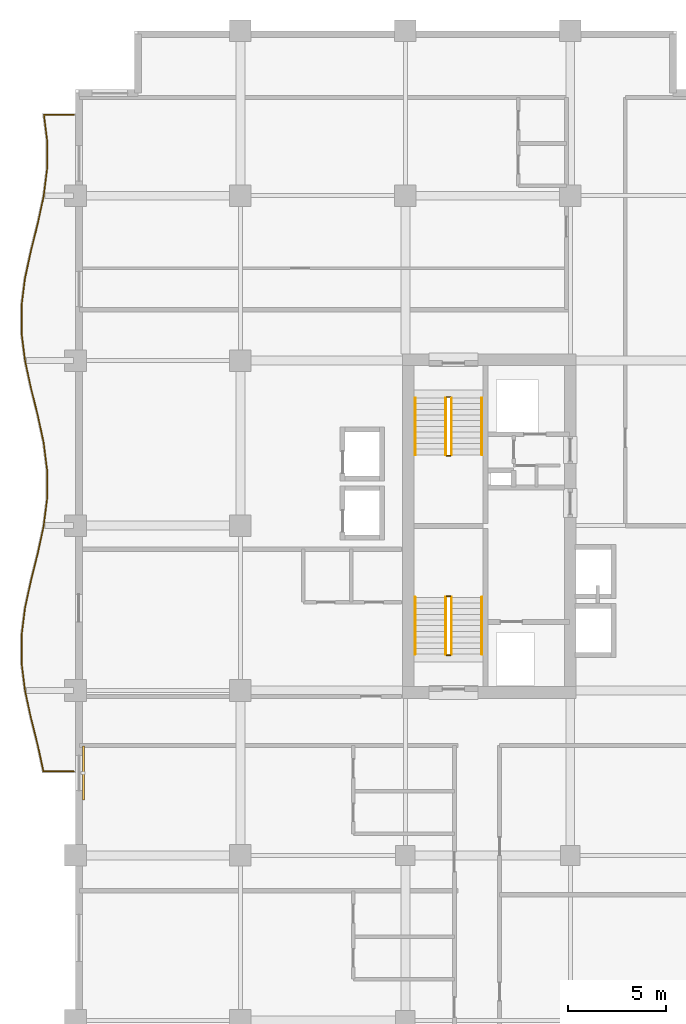
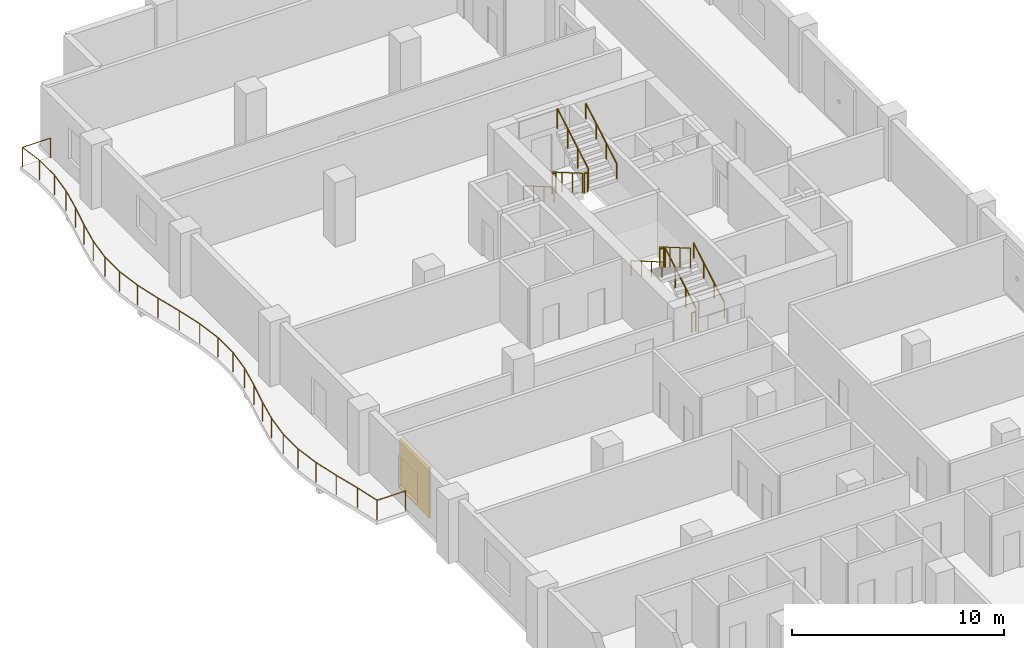
# One storey, part 14 of 15: 13 railings, 1 shading device.
"""IFC4 building model written with IfcOpenShell, lengths in metres."""

from ifc_helpers import new_model, si_unit, direction, frame, origin, origin_2d, place, context, subcontext, project, spatial, rectangle, circle, extrude, material, layer, layer_set, type_object, element, save


model = new_model("IFC4")

# Units and contexts
model_context = context("Model", 3, precision=1e-05, world=origin(), true_north=direction((0.0, 1.0)))
body_context = subcontext(model_context, "Body", "Model", "MODEL_VIEW")
ifc_project = project(units=[si_unit("LENGTHUNIT", "METRE"), si_unit("AREAUNIT", "SQUARE_METRE"), si_unit("VOLUMEUNIT", "CUBIC_METRE"), si_unit("PLANEANGLEUNIT", "RADIAN"), si_unit("MASSUNIT", "GRAM", prefix="KILO")], contexts=[model_context])

# Site, building, storey
site_placement = place(None, origin())
site = spatial("IfcSite", under=ifc_project, at=site_placement, CompositionType="ELEMENT")
building_placement = place(site_placement, origin())
building = spatial("IfcBuilding", under=site, at=building_placement, Name="Koriwani Terraces Tower", CompositionType="ELEMENT")
storey_placement = place(building_placement, frame((0.0, 0.0, 193.89990234375)))
storey = spatial("IfcBuildingStorey", under=building, at=storey_placement, Name="L47", CompositionType="ELEMENT", Elevation=193.89990234375)

# Railings
ifc_material_1 = material(Name="Steel ASTM A572 Grade 50", Category="steel")
railing_type_1 = type_object("IfcRailingType", Name="GUARD_BALUSTRADE_1150", PredefinedType="BALUSTRADE", material=ifc_material_1)
railing_1_placement = place(storey_placement, frame((-0.080078125, 37.8798828125, 0.0)))
element("IfcRailing", 1, at=railing_1_placement, inside=storey, type_object=railing_type_1, Name="L47 Balcony Perimeter Safety Balustrade (W)", PredefinedType="BALUSTRADE", context=body_context, shape_type="SweptSolid", body=[
    extrude(circle(Radius=0.02392578125, at=origin_2d()), frame((0.0, 0.0, 1.1259765625), z_axis=(-1.0, 0.0, 0.0), x_axis=(0.0, -1.0, 0.0)), (0.0, 0.0, 1.0), 1.552978515625),
    extrude(circle(Radius=0.02392578125, at=origin_2d()), frame((-1.552978515625, 0.0, 1.1259765625), z_axis=(-0.211318979222, 0.977417151998, 0.0), x_axis=(-0.977417151998, -0.211318979222, 0.0)), (0.0, 0.0, 1.0), 1.369140625),
    extrude(circle(Radius=0.02392578125, at=origin_2d()), frame((-1.84228515625, 1.338134765625, 1.1259765625), z_axis=(-0.242097720621, 0.970251871253, 0.0), x_axis=(-0.970251871253, -0.242097720621, 0.0)), (0.0, 0.0, 1.0), 1.443115234375),
    extrude(circle(Radius=0.02392578125, at=origin_2d()), frame((-2.191650390625, 2.73828125, 1.1259765625), z_axis=(-0.211385782237, 0.977402706702, 0.0), x_axis=(-0.977402706702, -0.211385782237, 0.0)), (0.0, 0.0, 1.0), 1.427490234375),
    extrude(circle(Radius=0.02392578125, at=origin_2d()), frame((-2.493408203125, 4.133544921875, 1.1259765625), z_axis=(-0.123777613669, 0.992309982997, 0.0), x_axis=(-0.992309982997, -0.123777613669, 0.0)), (0.0, 0.0, 1.0), 1.40234375),
    extrude(circle(Radius=0.02392578125, at=origin_2d()), frame((-2.6669921875, 5.525146484375, 1.1259765625), z_axis=(0.0, 1.0, 0.0), x_axis=(-1.0, 0.0, 0.0)), (0.0, 0.0, 1.0), 1.389892578125),
    extrude(circle(Radius=0.02392578125, at=origin_2d()), frame((-2.6669921875, 6.9150390625, 1.1259765625), z_axis=(0.123777613669, 0.992309982997, 0.0), x_axis=(-0.992309982997, 0.123777613669, 0.0)), (0.0, 0.0, 1.0), 1.40234375),
    extrude(circle(Radius=0.02392578125, at=origin_2d()), frame((-2.493408203125, 8.306640625, 1.1259765625), z_axis=(0.211385782237, 0.977402706702, 0.0), x_axis=(-0.977402706702, 0.211385782237, 0.0)), (0.0, 0.0, 1.0), 1.427490234375),
    extrude(circle(Radius=0.02392578125, at=origin_2d()), frame((-2.191650390625, 9.701904296875, 1.1259765625), z_axis=(0.242097720621, 0.970251871253, 0.0), x_axis=(-0.970251871253, 0.242097720621, 0.0)), (0.0, 0.0, 1.0), 1.443115234375),
    extrude(circle(Radius=0.02392578125, at=origin_2d()), frame((-1.84228515625, 11.10205078125, 1.1259765625), z_axis=(0.21115295759, 0.977453031353, 0.0), x_axis=(-0.977453031353, 0.21115295759, 0.0)), (0.0, 0.0, 1.0), 1.437255859375),
    extrude(circle(Radius=0.02392578125, at=origin_2d()), frame((-1.538818359375, 12.5068359375, 1.1259765625), z_axis=(0.123695943136, 0.992320166908, 0.0), x_axis=(-0.992320166908, 0.123695943136, 0.0)), (0.0, 0.0, 1.0), 1.419189453125),
    extrude(circle(Radius=0.02392578125, at=origin_2d()), frame((-1.36328125, 13.9150390625, 1.1259765625), z_axis=(0.0, 1.0, 0.0), x_axis=(-1.0, 0.0, 0.0)), (0.0, 0.0, 1.0), 1.41015625),
    extrude(circle(Radius=0.02392578125, at=origin_2d()), frame((-1.36328125, 15.3251953125, 1.1259765625), z_axis=(-0.123695943136, 0.992320166908, 0.0), x_axis=(-0.992320166908, -0.123695943136, 0.0)), (0.0, 0.0, 1.0), 1.419189453125),
    extrude(circle(Radius=0.02392578125, at=origin_2d()), frame((-1.538818359375, 16.7333984375, 1.1259765625), z_axis=(-0.21115295759, 0.977453031353, 0.0), x_axis=(-0.977453031353, -0.21115295759, 0.0)), (0.0, 0.0, 1.0), 1.437255859375),
    extrude(circle(Radius=0.02392578125, at=origin_2d()), frame((-1.84228515625, 18.13818359375, 1.1259765625), z_axis=(-0.242097720621, 0.970251871253, 0.0), x_axis=(-0.970251871253, -0.242097720621, 0.0)), (0.0, 0.0, 1.0), 1.443115234375),
    extrude(circle(Radius=0.02392578125, at=origin_2d()), frame((-2.191650390625, 19.538330078125, 1.1259765625), z_axis=(-0.211385782237, 0.977402706702, 0.0), x_axis=(-0.977402706702, -0.211385782237, 0.0)), (0.0, 0.0, 1.0), 1.427490234375),
    extrude(circle(Radius=0.02392578125, at=origin_2d()), frame((-2.493408203125, 20.93359375, 1.1259765625), z_axis=(-0.123777613669, 0.992309982997, 0.0), x_axis=(-0.992309982997, -0.123777613669, 0.0)), (0.0, 0.0, 1.0), 1.40234375),
    extrude(circle(Radius=0.02392578125, at=origin_2d()), frame((-2.6669921875, 22.3251953125, 1.1259765625), z_axis=(0.0, 1.0, 0.0), x_axis=(-1.0, 0.0, 0.0)), (0.0, 0.0, 1.0), 1.389892578125),
    extrude(circle(Radius=0.02392578125, at=origin_2d()), frame((-2.6669921875, 23.715087890625, 1.1259765625), z_axis=(0.123777613669, 0.992309982997, 0.0), x_axis=(-0.992309982997, 0.123777613669, 0.0)), (0.0, 0.0, 1.0), 1.40234375),
    extrude(circle(Radius=0.02392578125, at=origin_2d()), frame((-2.493408203125, 25.106689453125, 1.1259765625), z_axis=(0.211385782237, 0.977402706702, 0.0), x_axis=(-0.977402706702, 0.211385782237, 0.0)), (0.0, 0.0, 1.0), 1.427490234375),
    extrude(circle(Radius=0.02392578125, at=origin_2d()), frame((-2.191650390625, 26.501953125, 1.1259765625), z_axis=(0.242097720621, 0.970251871253, 0.0), x_axis=(-0.970251871253, 0.242097720621, 0.0)), (0.0, 0.0, 1.0), 1.443115234375),
    extrude(circle(Radius=0.02392578125, at=origin_2d()), frame((-1.84228515625, 27.902099609375, 1.1259765625), z_axis=(0.211188023857, 0.977445455552, 0.0), x_axis=(-0.977445455552, 0.211188023857, 0.0)), (0.0, 0.0, 1.0), 1.43701171875),
    extrude(circle(Radius=0.02392578125, at=origin_2d()), frame((-1.538818359375, 29.306640625, 1.1259765625), z_axis=(0.123674829633, 0.992322798546, 0.0), x_axis=(-0.992322798546, 0.123674829633, 0.0)), (0.0, 0.0, 1.0), 1.41943359375),
    extrude(circle(Radius=0.02392578125, at=origin_2d()), frame((-1.36328125, 30.715087890625, 1.1259765625), z_axis=(0.0, 1.0, 0.0), x_axis=(-1.0, 0.0, 0.0)), (0.0, 0.0, 1.0), 1.409912109375),
    extrude(circle(Radius=0.02392578125, at=origin_2d()), frame((-1.36328125, 32.125, 1.1259765625), z_axis=(-0.123603958219, 0.992331628798, 0.0), x_axis=(-0.992331628798, -0.123603958219, 0.0)), (0.0, 0.0, 1.0), 1.325439453125),
    extrude(circle(Radius=0.02392578125, at=origin_2d()), frame((-1.527099609375, 33.440185546875, 1.1259765625), z_axis=(1.0, 0.0, 0.0), x_axis=(0.0, 1.0, 0.0)), (0.0, 0.0, 1.0), 1.527099609375),
    extrude(circle(Radius=0.02099609375, at=origin_2d()), origin(), (0.0, 0.0, 1.0), 1.101806640625),
    extrude(circle(Radius=0.02099609375, at=origin_2d()), frame((-1.552978515625, 0.0, 0.0)), (0.0, 0.0, 1.0), 1.101806640625),
    extrude(circle(Radius=0.02099609375, at=origin_2d()), frame((-1.84228515625, 1.338134765625, 0.0)), (0.0, 0.0, 1.0), 1.101806640625),
    extrude(circle(Radius=0.02099609375, at=origin_2d()), frame((-2.191650390625, 2.73828125, 0.0)), (0.0, 0.0, 1.0), 1.101806640625),
    extrude(circle(Radius=0.02099609375, at=origin_2d()), frame((-2.493408203125, 4.133544921875, 0.0)), (0.0, 0.0, 1.0), 1.101806640625),
    extrude(circle(Radius=0.02099609375, at=origin_2d()), frame((-2.6669921875, 5.525146484375, 0.0)), (0.0, 0.0, 1.0), 1.101806640625),
    extrude(circle(Radius=0.02099609375, at=origin_2d()), frame((-2.6669921875, 6.9150390625, 0.0)), (0.0, 0.0, 1.0), 1.101806640625),
    extrude(circle(Radius=0.02099609375, at=origin_2d()), frame((-2.493408203125, 8.306640625, 0.0)), (0.0, 0.0, 1.0), 1.101806640625),
    extrude(circle(Radius=0.02099609375, at=origin_2d()), frame((-2.191650390625, 9.701904296875, 0.0)), (0.0, 0.0, 1.0), 1.101806640625),
    extrude(circle(Radius=0.02099609375, at=origin_2d()), frame((-1.84228515625, 11.10205078125, 0.0)), (0.0, 0.0, 1.0), 1.101806640625),
    extrude(circle(Radius=0.02099609375, at=origin_2d()), frame((-1.538818359375, 12.5068359375, 0.0)), (0.0, 0.0, 1.0), 1.101806640625),
    extrude(circle(Radius=0.02099609375, at=origin_2d()), frame((-1.36328125, 13.9150390625, 0.0)), (0.0, 0.0, 1.0), 1.101806640625),
    extrude(circle(Radius=0.02099609375, at=origin_2d()), frame((-1.36328125, 15.3251953125, 0.0)), (0.0, 0.0, 1.0), 1.101806640625),
    extrude(circle(Radius=0.02099609375, at=origin_2d()), frame((-1.538818359375, 16.7333984375, 0.0)), (0.0, 0.0, 1.0), 1.101806640625),
    extrude(circle(Radius=0.02099609375, at=origin_2d()), frame((-1.84228515625, 18.13818359375, 0.0)), (0.0, 0.0, 1.0), 1.101806640625),
    extrude(circle(Radius=0.02099609375, at=origin_2d()), frame((-2.191650390625, 19.538330078125, 0.0)), (0.0, 0.0, 1.0), 1.101806640625),
    extrude(circle(Radius=0.02099609375, at=origin_2d()), frame((-2.493408203125, 20.93359375, 0.0)), (0.0, 0.0, 1.0), 1.101806640625),
    extrude(circle(Radius=0.02099609375, at=origin_2d()), frame((-2.6669921875, 22.3251953125, 0.0)), (0.0, 0.0, 1.0), 1.101806640625),
    extrude(circle(Radius=0.02099609375, at=origin_2d()), frame((-2.6669921875, 23.715087890625, 0.0)), (0.0, 0.0, 1.0), 1.101806640625),
    extrude(circle(Radius=0.02099609375, at=origin_2d()), frame((-2.493408203125, 25.106689453125, 0.0)), (0.0, 0.0, 1.0), 1.101806640625),
    extrude(circle(Radius=0.02099609375, at=origin_2d()), frame((-2.191650390625, 26.501953125, 0.0)), (0.0, 0.0, 1.0), 1.101806640625),
    extrude(circle(Radius=0.02099609375, at=origin_2d()), frame((-1.84228515625, 27.902099609375, 0.0)), (0.0, 0.0, 1.0), 1.101806640625),
    extrude(circle(Radius=0.02099609375, at=origin_2d()), frame((-1.538818359375, 29.306640625, 0.0)), (0.0, 0.0, 1.0), 1.101806640625),
    extrude(circle(Radius=0.02099609375, at=origin_2d()), frame((-1.36328125, 30.715087890625, 0.0)), (0.0, 0.0, 1.0), 1.101806640625),
    extrude(circle(Radius=0.02099609375, at=origin_2d()), frame((-1.36328125, 32.125, 0.0)), (0.0, 0.0, 1.0), 1.101806640625),
    extrude(circle(Radius=0.02099609375, at=origin_2d()), frame((-1.527099609375, 33.440185546875, 0.0)), (0.0, 0.0, 1.0), 1.101806640625),
    extrude(circle(Radius=0.02099609375, at=origin_2d()), frame((0.0, 33.440185546875, 0.0)), (0.0, 0.0, 1.0), 1.101806640625),
])
railing_type_2 = type_object("IfcRailingType", Name="GUARD_STAIR_WELL_1120", PredefinedType="GUARDRAIL", material=ifc_material_1)
railing_2_placement = place(storey_placement, frame((19.14990234375, 43.85009765625, 0.168212890625)))
element("IfcRailing", 2, at=railing_2_placement, inside=storey, type_object=railing_type_2, Name="L47 ST-W1 stair guard 1", PredefinedType="GUARDRAIL", context=body_context, shape_type="SweptSolid", body=[
    extrude(circle(Radius=0.02392578125, at=origin_2d()), frame((0.0, 0.0, 1.1259765625), z_axis=(0.0, 0.865038774852, 0.501705010941), x_axis=(-1.0, 0.0, 0.0)), (0.0, 0.0, 1.0), 3.352294921875),
    extrude(circle(Radius=0.02099609375, at=origin_2d()), origin(), (0.0, 0.0, 1.0), 1.101806640625),
    extrude(circle(Radius=0.02099609375, at=origin_2d()), frame((0.0, 0.966552734375, 0.560546875)), (0.0, 0.0, 1.0), 1.101806640625),
    extrude(circle(Radius=0.02099609375, at=origin_2d()), frame((0.0, 1.933349609375, 1.121337890625)), (0.0, 0.0, 1.0), 1.101806640625),
    extrude(circle(Radius=0.02099609375, at=origin_2d()), frame((0.0, 2.89990234375, 1.681884765625)), (0.0, 0.0, 1.0), 1.101806640625),
])
railing_3_placement = place(storey_placement, frame((19.10009765625, 46.800048828125, 1.85009765625)))
element("IfcRailing", 3, at=railing_3_placement, inside=storey, type_object=railing_type_2, Name="L47 ST-W1 stair guard 2", PredefinedType="GUARDRAIL", context=body_context, shape_type="SweptSolid", body=[
    extrude(circle(Radius=0.02392578125, at=origin_2d()), frame((0.0, 0.0, 1.1259765625), z_axis=(-1.0, 0.0, 0.0), x_axis=(0.0, -1.0, 0.0)), (0.0, 0.0, 1.0), 0.2001953125),
    extrude(circle(Radius=0.02099609375, at=origin_2d()), origin(), (0.0, 0.0, 1.0), 1.101806640625),
    extrude(circle(Radius=0.02099609375, at=origin_2d()), frame((-0.2001953125, 0.0, 0.0)), (0.0, 0.0, 1.0), 1.101806640625),
])
railing_4_placement = place(storey_placement, frame((18.85009765625, 46.75, 2.018310546875)))
element("IfcRailing", 4, at=railing_4_placement, inside=storey, type_object=railing_type_2, Name="L47 ST-W1 stair guard 3", PredefinedType="GUARDRAIL", context=body_context, shape_type="SweptSolid", body=[
    extrude(circle(Radius=0.02392578125, at=origin_2d()), frame((0.0, 0.0, 1.1259765625), z_axis=(0.0, -0.865038774852, 0.501705010941), x_axis=(1.0, 0.0, 0.0)), (0.0, 0.0, 1.0), 3.352294921875),
    extrude(circle(Radius=0.02099609375, at=origin_2d()), origin(), (0.0, 0.0, 1.0), 1.101806640625),
    extrude(circle(Radius=0.02099609375, at=origin_2d()), frame((0.0, -0.966552734375, 0.560546875)), (0.0, 0.0, 1.0), 1.101806640625),
    extrude(circle(Radius=0.02099609375, at=origin_2d()), frame((0.0, -1.933349609375, 1.121337890625)), (0.0, 0.0, 1.0), 1.101806640625),
    extrude(circle(Radius=0.02099609375, at=origin_2d()), frame((0.0, -2.89990234375, 1.681884765625)), (0.0, 0.0, 1.0), 1.101806640625),
])
railing_5_placement = place(storey_placement, frame((19.10009765625, 43.800048828125, 0.0)))
element("IfcRailing", 5, at=railing_5_placement, inside=storey, type_object=railing_type_2, Name="L47 ST-W1 stair guard 4", PredefinedType="GUARDRAIL", context=body_context, shape_type="SweptSolid", body=[
    extrude(circle(Radius=0.02392578125, at=origin_2d()), frame((0.0, 0.0, 1.1259765625), z_axis=(-1.0, 0.0, 0.0), x_axis=(0.0, -1.0, 0.0)), (0.0, 0.0, 1.0), 0.2001953125),
    extrude(circle(Radius=0.02099609375, at=origin_2d()), origin(), (0.0, 0.0, 1.0), 1.101806640625),
    extrude(circle(Radius=0.02099609375, at=origin_2d()), frame((-0.2001953125, 0.0, 0.0)), (0.0, 0.0, 1.0), 1.101806640625),
])
railing_6_placement = place(storey_placement, frame((18.85009765625, 56.89990234375, 0.168212890625)))
element("IfcRailing", 6, at=railing_6_placement, inside=storey, type_object=railing_type_2, Name="L47 ST-W2 stair guard 1", PredefinedType="GUARDRAIL", context=body_context, shape_type="SweptSolid", body=[
    extrude(circle(Radius=0.02392578125, at=origin_2d()), frame((0.0, 0.0, 1.1259765625), z_axis=(0.0, -0.865038774852, 0.501705010941), x_axis=(1.0, 0.0, 0.0)), (0.0, 0.0, 1.0), 3.352294921875),
    extrude(circle(Radius=0.02099609375, at=origin_2d()), origin(), (0.0, 0.0, 1.0), 1.101806640625),
    extrude(circle(Radius=0.02099609375, at=origin_2d()), frame((0.0, -0.966552734375, 0.560546875)), (0.0, 0.0, 1.0), 1.101806640625),
    extrude(circle(Radius=0.02099609375, at=origin_2d()), frame((0.0, -1.933349609375, 1.121337890625)), (0.0, 0.0, 1.0), 1.101806640625),
    extrude(circle(Radius=0.02099609375, at=origin_2d()), frame((0.0, -2.89990234375, 1.681884765625)), (0.0, 0.0, 1.0), 1.101806640625),
])
railing_7_placement = place(storey_placement, frame((18.89990234375, 53.949951171875, 1.85009765625)))
element("IfcRailing", 7, at=railing_7_placement, inside=storey, type_object=railing_type_2, Name="L47 ST-W2 stair guard 2", PredefinedType="GUARDRAIL", context=body_context, shape_type="SweptSolid", body=[
    extrude(circle(Radius=0.02392578125, at=origin_2d()), frame((0.0, 0.0, 1.1259765625), z_axis=(1.0, 0.0, 0.0), x_axis=(0.0, 1.0, 0.0)), (0.0, 0.0, 1.0), 0.2001953125),
    extrude(circle(Radius=0.02099609375, at=origin_2d()), origin(), (0.0, 0.0, 1.0), 1.101806640625),
    extrude(circle(Radius=0.02099609375, at=origin_2d()), frame((0.2001953125, 0.0, 0.0)), (0.0, 0.0, 1.0), 1.101806640625),
])
railing_8_placement = place(storey_placement, frame((19.14990234375, 54.0, 2.018310546875)))
element("IfcRailing", 8, at=railing_8_placement, inside=storey, type_object=railing_type_2, Name="L47 ST-W2 stair guard 3", PredefinedType="GUARDRAIL", context=body_context, shape_type="SweptSolid", body=[
    extrude(circle(Radius=0.02392578125, at=origin_2d()), frame((0.0, 0.0, 1.1259765625), z_axis=(0.0, 0.865038774852, 0.501705010941), x_axis=(-1.0, 0.0, 0.0)), (0.0, 0.0, 1.0), 3.352294921875),
    extrude(circle(Radius=0.02099609375, at=origin_2d()), origin(), (0.0, 0.0, 1.0), 1.101806640625),
    extrude(circle(Radius=0.02099609375, at=origin_2d()), frame((0.0, 0.966552734375, 0.560546875)), (0.0, 0.0, 1.0), 1.101806640625),
    extrude(circle(Radius=0.02099609375, at=origin_2d()), frame((0.0, 1.933349609375, 1.121337890625)), (0.0, 0.0, 1.0), 1.101806640625),
    extrude(circle(Radius=0.02099609375, at=origin_2d()), frame((0.0, 2.89990234375, 1.681884765625)), (0.0, 0.0, 1.0), 1.101806640625),
])
railing_9_placement = place(storey_placement, frame((18.89990234375, 56.949951171875, 0.0)))
element("IfcRailing", 9, at=railing_9_placement, inside=storey, type_object=railing_type_2, Name="L47 ST-W2 stair guard 4", PredefinedType="GUARDRAIL", context=body_context, shape_type="SweptSolid", body=[
    extrude(circle(Radius=0.02392578125, at=origin_2d()), frame((0.0, 0.0, 1.1259765625), z_axis=(1.0, 0.0, 0.0), x_axis=(0.0, 1.0, 0.0)), (0.0, 0.0, 1.0), 0.2001953125),
    extrude(circle(Radius=0.02099609375, at=origin_2d()), origin(), (0.0, 0.0, 1.0), 1.101806640625),
    extrude(circle(Radius=0.02099609375, at=origin_2d()), frame((0.2001953125, 0.0, 0.0)), (0.0, 0.0, 1.0), 1.101806640625),
])
railing_type_3 = type_object("IfcRailingType", Name="HANDRAIL_STAIR_920", PredefinedType="HANDRAIL", material=ifc_material_1)
railing_10_placement = place(storey_placement, frame((20.699951171875, 43.85009765625, 0.168212890625)))
element("IfcRailing", 10, at=railing_10_placement, inside=storey, type_object=railing_type_3, Name="L47 ST-W1 stair handrail 1", PredefinedType="HANDRAIL", context=body_context, shape_type="SweptSolid", body=[
    extrude(circle(Radius=0.02392578125, at=origin_2d()), frame((0.0, 0.0, 0.8759765625), z_axis=(0.0, 0.865038774852, 0.501705010941), x_axis=(-1.0, 0.0, 0.0)), (0.0, 0.0, 1.0), 3.352294921875),
    extrude(circle(Radius=0.02099609375, at=origin_2d()), origin(), (0.0, 0.0, 1.0), 0.851806640625),
    extrude(circle(Radius=0.02099609375, at=origin_2d()), frame((0.0, 0.966552734375, 0.560546875)), (0.0, 0.0, 1.0), 0.851806640625),
    extrude(circle(Radius=0.02099609375, at=origin_2d()), frame((0.0, 1.933349609375, 1.121337890625)), (0.0, 0.0, 1.0), 0.851806640625),
    extrude(circle(Radius=0.02099609375, at=origin_2d()), frame((0.0, 2.89990234375, 1.681884765625)), (0.0, 0.0, 1.0), 0.851806640625),
])
for number, where, name in (
    (11, (17.300048828125, 46.75, 2.018310546875), "L47 ST-W1 stair handrail 2"),
    (12, (17.300048828125, 56.89990234375, 0.168212890625), "L47 ST-W2 stair handrail 1"),
):
    element("IfcRailing", number, at=place(storey_placement, frame(where)), inside=storey, type_object=railing_type_3, Name=name, PredefinedType="HANDRAIL", context=body_context, shape_type="SweptSolid", body=[
        extrude(circle(Radius=0.02392578125, at=origin_2d()), frame((0.0, 0.0, 0.8759765625), z_axis=(0.0, -0.865038774852, 0.501705010941), x_axis=(1.0, 0.0, 0.0)), (0.0, 0.0, 1.0), 3.352294921875),
        extrude(circle(Radius=0.02099609375, at=origin_2d()), origin(), (0.0, 0.0, 1.0), 0.851806640625),
        extrude(circle(Radius=0.02099609375, at=origin_2d()), frame((0.0, -0.966552734375, 0.560546875)), (0.0, 0.0, 1.0), 0.851806640625),
        extrude(circle(Radius=0.02099609375, at=origin_2d()), frame((0.0, -1.933349609375, 1.121337890625)), (0.0, 0.0, 1.0), 0.851806640625),
        extrude(circle(Radius=0.02099609375, at=origin_2d()), frame((0.0, -2.89990234375, 1.681884765625)), (0.0, 0.0, 1.0), 0.851806640625),
    ])
railing_11_placement = place(storey_placement, frame((20.699951171875, 54.0, 2.018310546875)))
element("IfcRailing", 13, at=railing_11_placement, inside=storey, type_object=railing_type_3, Name="L47 ST-W2 stair handrail 2", PredefinedType="HANDRAIL", context=body_context, shape_type="SweptSolid", body=[
    extrude(circle(Radius=0.02392578125, at=origin_2d()), frame((0.0, 0.0, 0.8759765625), z_axis=(0.0, 0.865038774852, 0.501705010941), x_axis=(-1.0, 0.0, 0.0)), (0.0, 0.0, 1.0), 3.352294921875),
    extrude(circle(Radius=0.02099609375, at=origin_2d()), origin(), (0.0, 0.0, 1.0), 0.851806640625),
    extrude(circle(Radius=0.02099609375, at=origin_2d()), frame((0.0, 0.966552734375, 0.560546875)), (0.0, 0.0, 1.0), 0.851806640625),
    extrude(circle(Radius=0.02099609375, at=origin_2d()), frame((0.0, 1.933349609375, 1.121337890625)), (0.0, 0.0, 1.0), 0.851806640625),
    extrude(circle(Radius=0.02099609375, at=origin_2d()), frame((0.0, 2.89990234375, 1.681884765625)), (0.0, 0.0, 1.0), 0.851806640625),
])

# Shading device
ifc_material_2 = material(Name="Extruded Terracotta Clay", Category="masonry")
ifc_layer = layer(ifc_material_2, 0.1201171875, Name="Extruded Terracotta Clay")
ifc_layer_set = layer_set([ifc_layer], Name="Extruded Terracotta Clay")
shading_device_type = type_object("IfcShadingDeviceType", Name="TERRACOTTA_BAGUETTE_SCREEN_2800", PredefinedType="USERDEFINED", material=ifc_layer_set)
shading_device_placement = place(storey_placement, frame((0.405029296875, 37.800048828125, 0.28515625), z_axis=(0.0, 0.0, 1.0), x_axis=(0.0, 1.0, 0.0)))
element("IfcShadingDevice", 14, at=shading_device_placement, inside=storey, type_object=shading_device_type, Name="L47 Extruded Terracotta Baguette Screen (W-12)", ObjectType="BAGUETTE", PredefinedType="USERDEFINED", context=body_context, shape_type="SweptSolid", body=[
    extrude(rectangle(XDim=2.760009765625, YDim=0.1201171875, at=origin_2d()), origin(), (0.0, 0.0, 1.0), 2.89990234375),
])

save(model, "model.ifc")
